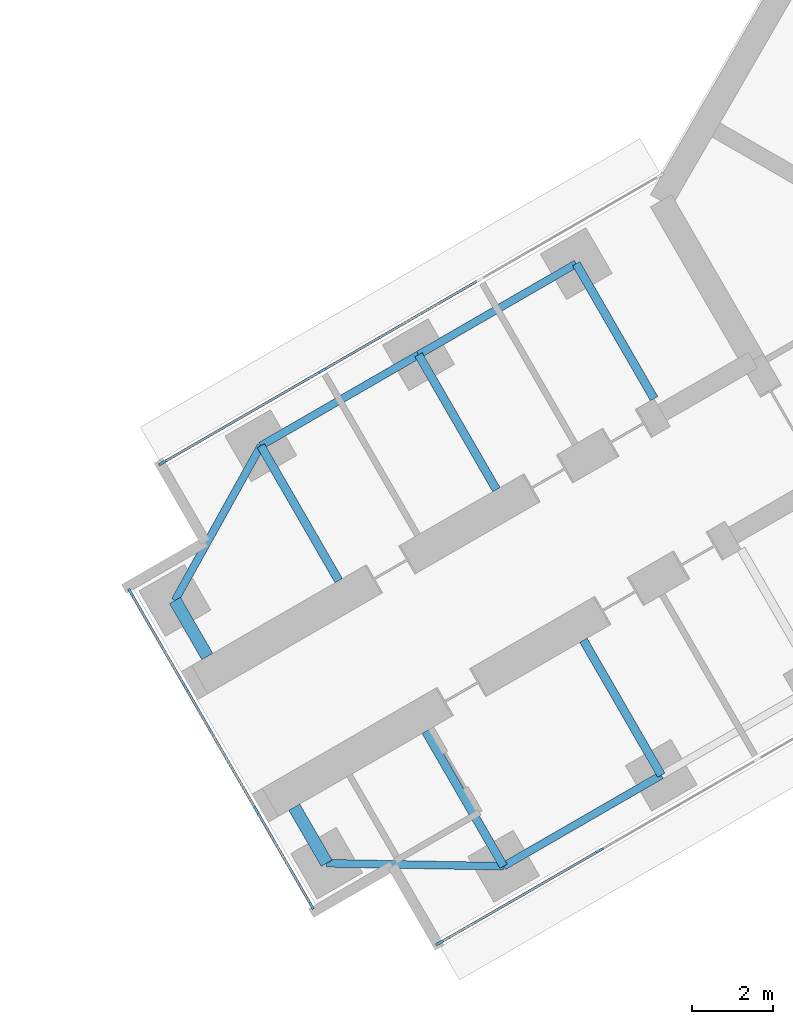
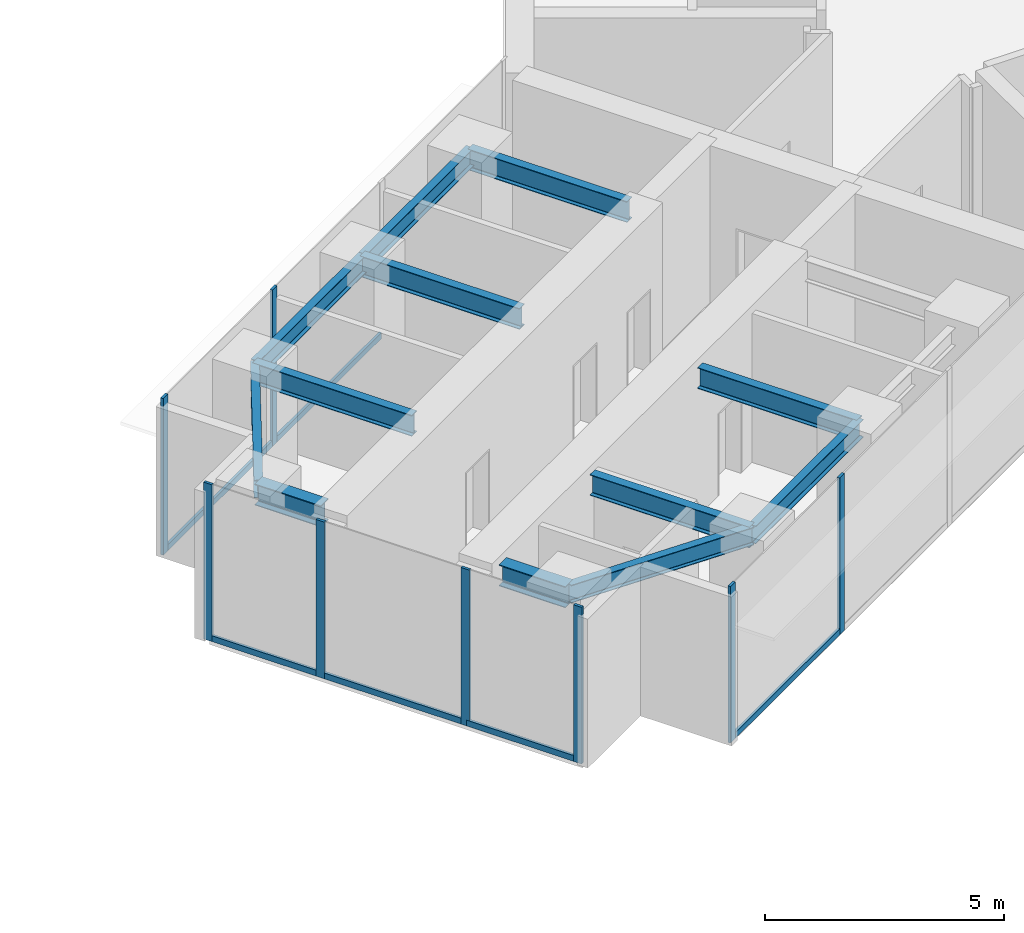
# One storey, part 3 of 22: 14 members, 12 beams, 3 elements without a shape of their own.
"""IFC4 building model written with IfcOpenShell, lengths in metres."""

from ifc_helpers import new_model, si_unit, direction, frame, origin, origin_2d, place, context, subcontext, project, spatial, rectangle, i_section, extrude, material, material_profile, profile_set, type_object, element, aggregate, save


model = new_model("IFC4")

# Units and contexts
model_context = context("Model", 3, precision=1e-05, world=origin(), true_north=direction((0.0, 1.0)))
body_context = subcontext(model_context, "Body", "Model", "MODEL_VIEW")
ifc_project = project(units=[si_unit("LENGTHUNIT", "METRE"), si_unit("AREAUNIT", "SQUARE_METRE"), si_unit("VOLUMEUNIT", "CUBIC_METRE"), si_unit("PLANEANGLEUNIT", "RADIAN"), si_unit("MASSUNIT", "GRAM", prefix="KILO")], contexts=[model_context])

# Site, building, storey
site_placement = place(None, origin())
site = spatial("IfcSite", under=ifc_project, at=site_placement, CompositionType="ELEMENT")
building_placement = place(site_placement, origin())
building = spatial("IfcBuilding", under=site, at=building_placement, Name="Upepo Twin Towers", CompositionType="ELEMENT")
storey_placement = place(building_placement, frame((0.0, 0.0, 129.5)))
storey = spatial("IfcBuildingStorey", under=building, at=storey_placement, Name="L31", CompositionType="ELEMENT", Elevation=129.5)

# Beams
ifc_material_1 = material(Name="Steel S355", Category="steel")
ifc_material_profile_1 = material_profile(ifc_material_1, i_section(OverallWidth=0.1904296875, OverallDepth=0.45703125, WebThickness=0.009033203125, FlangeThickness=0.014404296875, FilletRadius=0.01025390625, at=origin_2d()), Name="UB 457x191x74")
ifc_profile_set_1 = profile_set([ifc_material_profile_1], Name="Steel S355")
beam_type_1 = type_object("IfcBeamType", Name="Beam UB 457x191x74", PredefinedType="BEAM", material=ifc_profile_set_1)
beam_1_placement = place(storey_placement, frame((45.91162109375, -32.196044921875, 3.571533203125), z_axis=(-0.866031096941, -0.499990139034, 0.0), x_axis=(0.499990139034, -0.866031096941, 0.0)))
element("IfcBeam", 1, at=beam_1_placement, inside=storey, type_object=beam_type_1, Name="T2 edge beam BL 18.0-22.5", PredefinedType="BEAM", context=body_context, shape_type="SweptSolid", body=[
    extrude(i_section(OverallWidth=0.1904296875, OverallDepth=0.45703125, WebThickness=0.009033203125, FlangeThickness=0.014404296875, FilletRadius=0.01025390625, at=origin_2d()), origin(), (0.0, 0.0, 1.0), 4.5),
])
beam_2_placement = place(storey_placement, frame((42.014404296875, -34.446044921875, 3.571533203125), z_axis=(-0.999858804832, 0.016803880528, 0.0), x_axis=(-0.016803880528, -0.999858804832, 0.0)))
element("IfcBeam", 2, at=beam_2_placement, inside=storey, type_object=beam_type_1, Name="T2 nose edge beam BL", PredefinedType="BEAM", context=body_context, shape_type="SweptSolid", body=[
    extrude(i_section(OverallWidth=0.1904296875, OverallDepth=0.45703125, WebThickness=0.009033203125, FlangeThickness=0.014404296875, FilletRadius=0.01025390625, at=origin_2d()), origin(), (0.0, 0.0, 1.0), 4.373291015625),
])
beam_3_placement = place(storey_placement, frame((43.80859375, -19.553955078125, 3.571533203125), z_axis=(-0.866017533419, -0.500013631625, 0.0), x_axis=(0.500013631625, -0.866017533419, 0.0)))
element("IfcBeam", 3, at=beam_3_placement, inside=storey, type_object=beam_type_1, Name="T2 edge beam BR 13.5-18.0", PredefinedType="BEAM", context=body_context, shape_type="SweptSolid", body=[
    extrude(i_section(OverallWidth=0.1904296875, OverallDepth=0.45703125, WebThickness=0.009033203125, FlangeThickness=0.014404296875, FilletRadius=0.01025390625, at=origin_2d()), origin(), (0.0, 0.0, 1.0), 4.499755859375),
])
beam_4_placement = place(storey_placement, frame((39.91162109375, -21.803955078125, 3.571533203125), z_axis=(-0.866031096941, -0.499990139034, 0.0), x_axis=(0.499990139034, -0.866031096941, 0.0)))
element("IfcBeam", 4, at=beam_4_placement, inside=storey, type_object=beam_type_1, Name="T2 edge beam BR 18.0-22.5", PredefinedType="BEAM", context=body_context, shape_type="SweptSolid", body=[
    extrude(i_section(OverallWidth=0.1904296875, OverallDepth=0.45703125, WebThickness=0.009033203125, FlangeThickness=0.014404296875, FilletRadius=0.01025390625, at=origin_2d()), origin(), (0.0, 0.0, 1.0), 4.5),
])
beam_5_placement = place(storey_placement, frame((36.014404296875, -24.053955078125, 3.571533203125), z_axis=(-0.485363242752, -0.874312600038, 0.0), x_axis=(0.874312600038, -0.485363242752, 0.0)))
element("IfcBeam", 5, at=beam_5_placement, inside=storey, type_object=beam_type_1, Name="T2 nose edge beam BR", PredefinedType="BEAM", context=body_context, shape_type="SweptSolid", body=[
    extrude(i_section(OverallWidth=0.1904296875, OverallDepth=0.45703125, WebThickness=0.009033203125, FlangeThickness=0.014404296875, FilletRadius=0.01025390625, at=origin_2d()), origin(), (0.0, 0.0, 1.0), 4.373046875),
])
ifc_material_2 = material(Name="Steel S355", Category="steel")
ifc_material_profile_2 = material_profile(ifc_material_2, i_section(OverallWidth=0.209228515625, OverallDepth=0.533203125, WebThickness=0.010009765625, FlangeThickness=0.015625, FilletRadius=0.0126953125, at=origin_2d()), Name="UB 533x210x92")
ifc_profile_set_2 = profile_set([ifc_material_profile_2], Name="Steel S355")
beam_type_2 = type_object("IfcBeamType", Name="Beam UB 533x210x92", PredefinedType="BEAM", material=ifc_profile_set_2)
for number, where, z_axis, x_axis, name in (
    (6, (45.91162109375, -32.196044921875, 3.533447265625), (-0.500033517596, 0.866006051527, 0.0), (-0.866006051527, -0.500033517596, 0.0), "T2 girder BL at 18.0"),
    (7, (42.014404296875, -34.446044921875, 3.533447265625), (-0.500033517596, 0.866006051527, 0.0), (-0.866006051527, -0.500033517596, 0.0), "T2 girder BL at 22.5"),
    (8, (43.80859375, -19.553955078125, 3.533447265625), (0.500033517596, -0.866006051527, 0.0), (0.866006051527, 0.500033517596, 0.0), "T2 girder BR at 13.5"),
):
    element("IfcBeam", number, at=place(storey_placement, frame(where, z_axis=z_axis, x_axis=x_axis)), inside=storey, type_object=beam_type_2, Name=name, PredefinedType="BEAM", context=body_context, shape_type="SweptSolid", body=[
        extrude(i_section(OverallWidth=0.209228515625, OverallDepth=0.533203125, WebThickness=0.010009765625, FlangeThickness=0.015625, FilletRadius=0.0126953125, at=origin_2d()), origin(), (0.0, 0.0, 1.0), 3.849853515625),
    ])
beam_6_placement = place(storey_placement, frame((39.91162109375, -21.803955078125, 3.533447265625), z_axis=(0.499985955615, -0.866033512162, 0.0), x_axis=(0.866033512162, 0.499985955615, 0.0)))
element("IfcBeam", 9, at=beam_6_placement, inside=storey, type_object=beam_type_2, Name="T2 girder BR at 18.0", PredefinedType="BEAM", context=body_context, shape_type="SweptSolid", body=[
    extrude(i_section(OverallWidth=0.209228515625, OverallDepth=0.533203125, WebThickness=0.010009765625, FlangeThickness=0.015625, FilletRadius=0.0126953125, at=origin_2d()), origin(), (0.0, 0.0, 1.0), 3.849609375),
])
beam_7_placement = place(storey_placement, frame((36.014404296875, -24.053955078125, 3.533447265625), z_axis=(0.500033517596, -0.866006051527, 0.0), x_axis=(0.866006051527, 0.500033517596, 0.0)))
element("IfcBeam", 10, at=beam_7_placement, inside=storey, type_object=beam_type_2, Name="T2 girder BR at 22.5", PredefinedType="BEAM", context=body_context, shape_type="SweptSolid", body=[
    extrude(i_section(OverallWidth=0.209228515625, OverallDepth=0.533203125, WebThickness=0.010009765625, FlangeThickness=0.015625, FilletRadius=0.0126953125, at=origin_2d()), origin(), (0.0, 0.0, 1.0), 3.849853515625),
])
ifc_material_3 = material(Name="Steel S355", Category="steel")
ifc_material_profile_3 = material_profile(ifc_material_3, i_section(OverallWidth=0.31201171875, OverallDepth=0.54345703125, WebThickness=0.0126953125, FlangeThickness=0.020263671875, FilletRadius=0.0126953125, at=origin_2d()), Name="UB 533x312x150")
ifc_profile_set_3 = profile_set([ifc_material_profile_3], Name="Steel S355")
beam_type_3 = type_object("IfcBeamType", Name="Beam UB 533x312x150", PredefinedType="BEAM", material=ifc_profile_set_3)
for number, where, z_axis, x_axis, name in (
    (11, (37.641845703125, -34.37255859375, 3.5283203125), (-0.500061482766, 0.865989903783, 0.0), (-0.865989903783, -0.500061482766, 0.0), "T2 nose beam BL"),
    (12, (33.891845703125, -27.87744140625, 3.5283203125), (0.500061482766, -0.865989903783, 0.0), (0.865989903783, 0.500061482766, 0.0), "T2 nose beam BR"),
):
    element("IfcBeam", number, at=place(storey_placement, frame(where, z_axis=z_axis, x_axis=x_axis)), inside=storey, type_object=beam_type_3, Name=name, PredefinedType="BEAM", context=body_context, shape_type="SweptSolid", body=[
        extrude(i_section(OverallWidth=0.31201171875, OverallDepth=0.54345703125, WebThickness=0.0126953125, FlangeThickness=0.020263671875, FilletRadius=0.0126953125, at=origin_2d()), origin(), (0.0, 0.0, 1.0), 1.599853515625),
    ])

# Curtain wall, members
ifc_material_4 = material(Name="Aluminium and fritted glass", Category="aluminium")
curtain_wall_type = type_object("IfcCurtainWallType", Name="Tower curtain wall TW2, fritted glass", PredefinedType="NOTDEFINED", material=ifc_material_4)
curtain_wall_1_placement = place(storey_placement, origin())
curtain_wall_1 = element("IfcCurtainWall", 13, at=curtain_wall_1_placement, inside=storey, type_object=curtain_wall_type, Name="T2 L31 wing B flank L curtain wall", PredefinedType="NOTDEFINED")
ifc_material_5 = material(Name="Aluminium mullion", Category="aluminium")
ifc_material_profile_4 = material_profile(ifc_material_5, rectangle(XDim=0.06494140625, YDim=0.199951171875, at=origin_2d()), Name="MULLION 65x200")
ifc_profile_set_4 = profile_set([ifc_material_profile_4], Name="Aluminium mullion")
member_type_1 = type_object("IfcMemberType", Name="Mullion 65x200 TW2", PredefinedType="MULLION", material=ifc_profile_set_4)
member_1_placement = place(storey_placement, frame((44.387939453125, -34.057373046875, 0.0), z_axis=(0.0, 0.0, 1.0), x_axis=(0.500000010308, -0.866025397833, 0.0)))
member_1 = element("IfcMember", 14, at=member_1_placement, type_object=member_type_1, Name="T2 L31 wing B flank L curtain wall mullion 3", PredefinedType="MULLION", context=body_context, shape_type="SweptSolid", body=[
    extrude(rectangle(XDim=0.06494140625, YDim=0.199951171875, at=origin_2d()), origin(), (0.0, 0.0, 1.0), 4.0),
])
member_2_placement = place(storey_placement, frame((40.432373046875, -36.341064453125, 0.0), z_axis=(0.0, 0.0, 1.0), x_axis=(0.500000010308, -0.866025397833, 0.0)))
member_2 = element("IfcMember", 15, at=member_2_placement, type_object=member_type_1, Name="T2 L31 wing B flank L curtain wall mullion 4", PredefinedType="MULLION", context=body_context, shape_type="SweptSolid", body=[
    extrude(rectangle(XDim=0.06494140625, YDim=0.199951171875, at=origin_2d()), origin(), (0.0, 0.0, 1.0), 4.0),
])

curtain_wall_2_placement = place(storey_placement, origin())
curtain_wall_2 = element("IfcCurtainWall", 16, at=curtain_wall_2_placement, inside=storey, type_object=curtain_wall_type, Name="T2 L31 wing B flank R curtain wall", PredefinedType="NOTDEFINED")
member_3_placement = place(storey_placement, frame((33.58251953125, -24.4765625, 0.0), z_axis=(0.0, 0.0, 1.0), x_axis=(-0.500000010308, 0.866025397833, 0.0)))
member_3 = element("IfcMember", 17, at=member_3_placement, type_object=member_type_1, Name="T2 L31 wing B flank R curtain wall mullion 1", PredefinedType="MULLION", context=body_context, shape_type="SweptSolid", body=[
    extrude(rectangle(XDim=0.06494140625, YDim=0.199951171875, at=origin_2d()), origin(), (0.0, 0.0, 1.0), 4.0),
])
member_4_placement = place(storey_placement, frame((37.5380859375, -22.192626953125, 0.0), z_axis=(0.0, 0.0, 1.0), x_axis=(-0.500000010308, 0.866025397833, 0.0)))
member_4 = element("IfcMember", 18, at=member_4_placement, type_object=member_type_1, Name="T2 L31 wing B flank R curtain wall mullion 2", PredefinedType="MULLION", context=body_context, shape_type="SweptSolid", body=[
    extrude(rectangle(XDim=0.06494140625, YDim=0.199951171875, at=origin_2d()), origin(), (0.0, 0.0, 1.0), 4.0),
])

curtain_wall_3_placement = place(storey_placement, origin())
curtain_wall_3 = element("IfcCurtainWall", 19, at=curtain_wall_3_placement, inside=storey, type_object=curtain_wall_type, Name="T2 L31 wing B nose curtain wall", PredefinedType="NOTDEFINED")
member_5_placement = place(storey_placement, frame((32.796875, -27.68115234375, 0.0), z_axis=(0.0, 0.0, 1.0), x_axis=(0.866025386174, 0.500000030502, 0.0)))
member_5 = element("IfcMember", 20, at=member_5_placement, type_object=member_type_1, Name="T2 L31 wing B nose curtain wall mullion 1", PredefinedType="MULLION", context=body_context, shape_type="SweptSolid", body=[
    extrude(rectangle(XDim=0.06494140625, YDim=0.199951171875, at=origin_2d()), origin(), (0.0, 0.0, 1.0), 4.0),
])
member_6_placement = place(storey_placement, frame((34.15576171875, -30.034423828125, 0.0), z_axis=(0.0, 0.0, 1.0), x_axis=(0.866025386174, 0.500000030502, 0.0)))
member_6 = element("IfcMember", 21, at=member_6_placement, type_object=member_type_1, Name="T2 L31 wing B nose curtain wall mullion 2", PredefinedType="MULLION", context=body_context, shape_type="SweptSolid", body=[
    extrude(rectangle(XDim=0.06494140625, YDim=0.199951171875, at=origin_2d()), origin(), (0.0, 0.0, 1.0), 4.0),
])
member_7_placement = place(storey_placement, frame((35.90576171875, -33.0654296875, 0.0), z_axis=(0.0, 0.0, 1.0), x_axis=(0.866025386174, 0.500000030502, 0.0)))
member_7 = element("IfcMember", 22, at=member_7_placement, type_object=member_type_1, Name="T2 L31 wing B nose curtain wall mullion 3", PredefinedType="MULLION", context=body_context, shape_type="SweptSolid", body=[
    extrude(rectangle(XDim=0.06494140625, YDim=0.199951171875, at=origin_2d()), origin(), (0.0, 0.0, 1.0), 4.0),
])
member_8_placement = place(storey_placement, frame((37.264404296875, -35.4189453125, 0.0), z_axis=(0.0, 0.0, 1.0), x_axis=(0.866025386174, 0.500000030502, 0.0)))
member_8 = element("IfcMember", 23, at=member_8_placement, type_object=member_type_1, Name="T2 L31 wing B nose curtain wall mullion 4", PredefinedType="MULLION", context=body_context, shape_type="SweptSolid", body=[
    extrude(rectangle(XDim=0.06494140625, YDim=0.199951171875, at=origin_2d()), origin(), (0.0, 0.0, 1.0), 4.0),
])

# Member
ifc_material_6 = material(Name="Aluminium transom", Category="aluminium")
ifc_material_profile_5 = material_profile(ifc_material_6, rectangle(XDim=0.06494140625, YDim=0.14990234375, at=origin_2d()), Name="TRANSOM 65x150")
ifc_profile_set_5 = profile_set([ifc_material_profile_5], Name="Aluminium transom")
member_type_2 = type_object("IfcMemberType", Name="Transom 65x150 TW2", PredefinedType="USERDEFINED", material=ifc_profile_set_5)
member_9_placement = place(storey_placement, frame((44.35986328125, -34.073486328125, 0.074951171875), z_axis=(-0.866035699072, -0.499982167615, 0.0), x_axis=(0.499982167615, -0.866035699072, 0.0)))
member_9 = element("IfcMember", 24, at=member_9_placement, type_object=member_type_2, Name="T2 L31 wing B flank L curtain wall transom 3", ObjectType="TRANSOM", PredefinedType="USERDEFINED", context=body_context, shape_type="SweptSolid", body=[
    extrude(rectangle(XDim=0.06494140625, YDim=0.14990234375, at=origin_2d()), origin(), (0.0, 0.0, 1.0), 4.502685546875),
])

aggregate(curtain_wall_1, [member_1, member_2, member_9])

member_10_placement = place(storey_placement, frame((33.610595703125, -24.460205078125, 0.074951171875), z_axis=(0.866022143554, 0.500005646842, 0.0), x_axis=(-0.500005646842, 0.866022143554, 0.0)))
member_10 = element("IfcMember", 25, at=member_10_placement, type_object=member_type_2, Name="T2 L31 wing B flank R curtain wall transom 1", ObjectType="TRANSOM", PredefinedType="USERDEFINED", context=body_context, shape_type="SweptSolid", body=[
    extrude(rectangle(XDim=0.06494140625, YDim=0.14990234375, at=origin_2d()), origin(), (0.0, 0.0, 1.0), 4.50244140625),
])

member_11_placement = place(storey_placement, frame((37.566162109375, -22.176513671875, 0.074951171875), z_axis=(0.866022410713, 0.500005184116, 0.0), x_axis=(-0.500005184116, 0.866022410713, 0.0)))
member_11 = element("IfcMember", 26, at=member_11_placement, type_object=member_type_2, Name="T2 L31 wing B flank R curtain wall transom 2", ObjectType="TRANSOM", PredefinedType="USERDEFINED", context=body_context, shape_type="SweptSolid", body=[
    extrude(rectangle(XDim=0.06494140625, YDim=0.14990234375, at=origin_2d()), origin(), (0.0, 0.0, 1.0), 4.43505859375),
])

aggregate(curtain_wall_2, [member_3, member_4, member_10, member_11])

member_12_placement = place(storey_placement, frame((32.813232421875, -27.709228515625, 0.074951171875), z_axis=(0.499980071345, -0.866036909293, 0.0), x_axis=(0.866036909293, 0.499980071345, 0.0)))
member_12 = element("IfcMember", 27, at=member_12_placement, type_object=member_type_2, Name="T2 L31 wing B nose curtain wall transom 1", ObjectType="TRANSOM", PredefinedType="USERDEFINED", context=body_context, shape_type="SweptSolid", body=[
    extrude(rectangle(XDim=0.06494140625, YDim=0.14990234375, at=origin_2d()), origin(), (0.0, 0.0, 1.0), 2.65234375),
])

member_13_placement = place(storey_placement, frame((34.171875, -30.0625, 0.074951171875), z_axis=(0.499999305434, -0.866025804792, 0.0), x_axis=(0.866025804792, 0.499999305434, 0.0)))
member_13 = element("IfcMember", 28, at=member_13_placement, type_object=member_type_2, Name="T2 L31 wing B nose curtain wall transom 2", ObjectType="TRANSOM", PredefinedType="USERDEFINED", context=body_context, shape_type="SweptSolid", body=[
    extrude(rectangle(XDim=0.06494140625, YDim=0.14990234375, at=origin_2d()), origin(), (0.0, 0.0, 1.0), 3.43505859375),
])

member_14_placement = place(storey_placement, frame((35.921875, -33.09375, 0.074951171875), z_axis=(0.500049101008, -0.865997053448, 0.0), x_axis=(0.865997053448, 0.500049101008, 0.0)))
member_14 = element("IfcMember", 29, at=member_14_placement, type_object=member_type_2, Name="T2 L31 wing B nose curtain wall transom 3", ObjectType="TRANSOM", PredefinedType="USERDEFINED", context=body_context, shape_type="SweptSolid", body=[
    extrude(rectangle(XDim=0.06494140625, YDim=0.14990234375, at=origin_2d()), origin(), (0.0, 0.0, 1.0), 2.652587890625),
])

aggregate(curtain_wall_3, [member_5, member_6, member_7, member_8, member_12, member_13, member_14])

save(model, "model.ifc")
